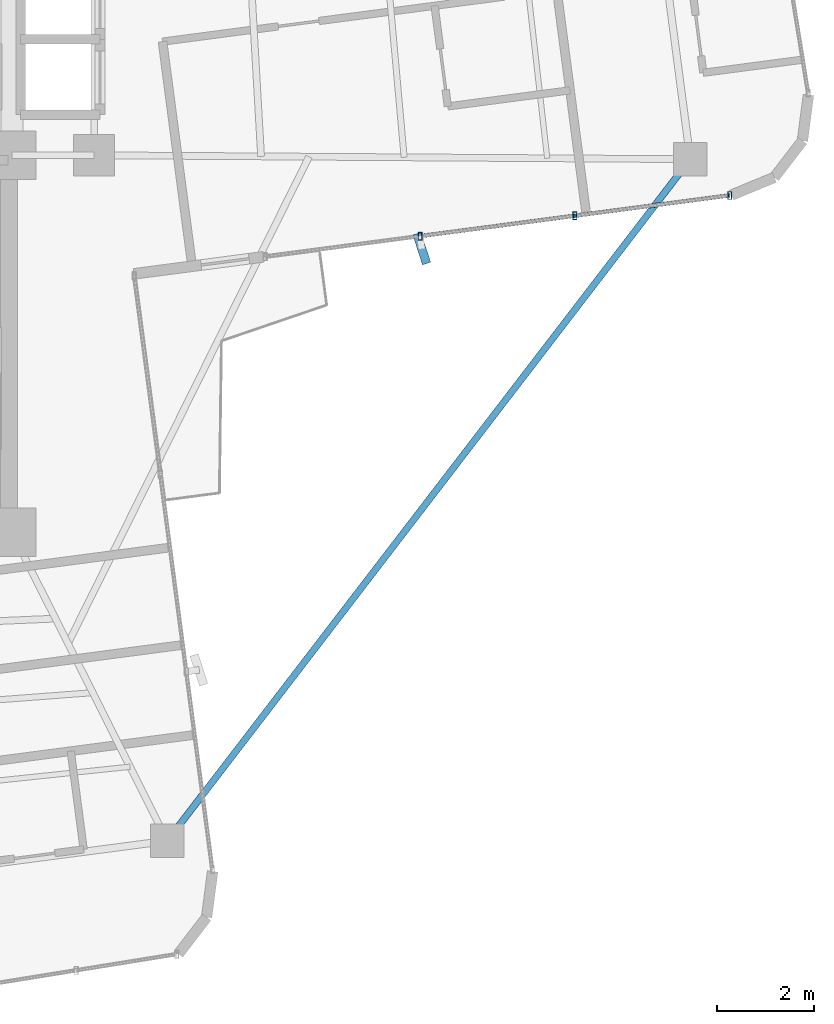
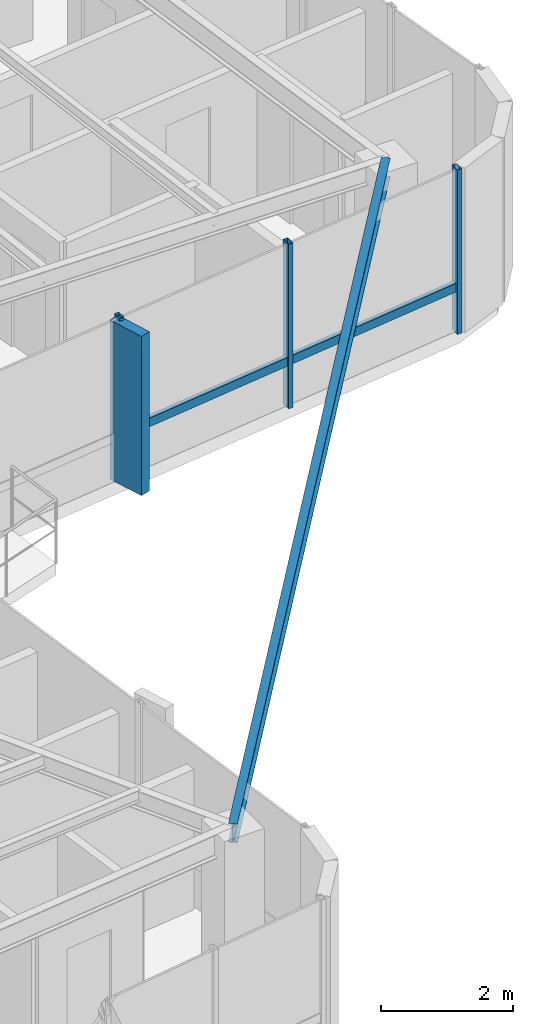
# One storey, part 12 of 23: 6 members, 1 beam, 1 element without a shape of its own.
"""IFC4 building model written with IfcOpenShell, lengths in metres."""

import ifcopenshell
import ifcopenshell.guid

model = None  # the IFC model being written
_history = None  # IfcOwnerHistory: only IFC2X3 demands one
_inside = {}  # id of a spatial element -> (the spatial element, [elements in it])
_under = {}  # id of a project, library or spatial element -> (it, [spatial elements below it])
_declared = {}  # id of a project -> (the project, [libraries it declares])
_typed = {}  # id of a type object -> (the type object, [elements of that type])
_made_of = {}  # id of a material, layer set ... -> (it, [elements and type objects made of it])


def new_model(schema):
    """Start an empty IFC model of exactly this schema.

    Asked for "IFC4X3", IfcOpenShell would pick the latest addendum, in which some entities
    have other attributes; the version numbers below select the first issue.
    IFC2X3 requires an IfcOwnerHistory on every rooted entity: one is made here for all.
    """
    global model, _history
    if schema == "IFC4X3":
        model = ifcopenshell.file(schema_version=(4, 3, 0, 0))
    else:
        model = ifcopenshell.file(schema=schema)
    _inside.clear()
    _under.clear()
    _declared.clear()
    _typed.clear()
    _made_of.clear()
    _history = None
    if model.schema == "IFC2X3":
        org = make("IfcOrganization", Name="unknown")
        user = make(
            "IfcPersonAndOrganization",
            ThePerson=make("IfcPerson", FamilyName="unknown"),
            TheOrganization=org,
        )
        app = make(
            "IfcApplication",
            ApplicationDeveloper=org,
            Version="unknown",
            ApplicationFullName="unknown",
            ApplicationIdentifier="unknown",
        )
        _history = make(
            "IfcOwnerHistory",
            OwningUser=user,
            OwningApplication=app,
            ChangeAction="ADDED",
            CreationDate=0,
        )
    return model


def make(cls, **values):
    """One entity of the class cls with the attributes given. An attribute that is None is left unset."""
    return model.create_entity(
        cls, **{name: value for name, value in values.items() if value is not None}
    )


def rooted(cls, **values):
    """An entity with a GlobalId (a new one), such as an element, a storey or a relation."""
    return make(cls, GlobalId=ifcopenshell.guid.new(), OwnerHistory=_history, **values)


def si_unit(unit_type, name, prefix=None):
    """IfcSIUnit, for example si_unit("LENGTHUNIT", "METRE", prefix="MILLI")."""
    return make("IfcSIUnit", UnitType=unit_type, Prefix=prefix, Name=name)


def assignment(units):
    """IfcUnitAssignment: the units of a project."""
    return None if units is None else make("IfcUnitAssignment", Units=units)


def point(xyz):
    """IfcCartesianPoint."""
    return None if xyz is None else make("IfcCartesianPoint", Coordinates=xyz)


def direction(xyz):
    """IfcDirection."""
    return None if xyz is None else make("IfcDirection", DirectionRatios=xyz)


def frame(location, z_axis=None, x_axis=None):
    """IfcAxis2Placement3D, a coordinate frame: its origin and axes. An axis left out is left unset."""
    return make(
        "IfcAxis2Placement3D",
        Location=point(location),
        Axis=direction(z_axis),
        RefDirection=direction(x_axis),
    )


def frame_2d(location, x_axis=None):
    """IfcAxis2Placement2D, a coordinate frame in the plane: its origin and x axis."""
    return make(
        "IfcAxis2Placement2D", Location=point(location), RefDirection=direction(x_axis)
    )


def origin():
    """The frame at (0, 0, 0) with its axes left unset."""
    return frame((0.0, 0.0, 0.0))


def origin_2d():
    """The frame at (0, 0) in the plane with its x axis left unset."""
    return frame_2d((0.0, 0.0))


def place(relative_to, where):
    """IfcLocalPlacement: puts the frame where relative to a parent placement (None: the world)."""
    return make(
        "IfcLocalPlacement", PlacementRelTo=relative_to, RelativePlacement=where
    )


def context(
    kind, dimensions, precision=None, world=None, true_north=None, identifier=None
):
    """IfcGeometricRepresentationContext, for example the 3D "Model" context."""
    return make(
        "IfcGeometricRepresentationContext",
        ContextIdentifier=identifier,
        ContextType=kind,
        CoordinateSpaceDimension=dimensions,
        Precision=precision,
        WorldCoordinateSystem=world,
        TrueNorth=true_north,
    )


def subcontext(parent, identifier, kind, view, scale=None):
    """IfcGeometricRepresentationSubContext, for example "Body" below "Model"."""
    return make(
        "IfcGeometricRepresentationSubContext",
        ContextIdentifier=identifier,
        ContextType=kind,
        ParentContext=parent,
        TargetScale=scale,
        TargetView=view,
    )


def project(units=None, contexts=None):
    """IfcProject with its units and contexts."""
    return rooted(
        "IfcProject",
        Name="project",
        RepresentationContexts=contexts,
        UnitsInContext=assignment(units),
    )


def spatial(cls, under=None, at=None, **own):
    """A site, building, storey or space (cls), placed at a placement, below another one or the project."""
    s = rooted(cls, ObjectPlacement=at, **own)
    if under is not None:
        _under.setdefault(under.id(), (under, []))[1].append(s)
    return s


def profile(cls, at=None, kind="AREA", **sizes):
    """A parametric profile (cls). Its sizes go by their IFC names, for example OverallWidth=200.0."""
    return make(cls, ProfileType=kind, Position=at, **sizes)


def rectangle(**sizes):
    """IfcRectangleProfileDef."""
    return profile("IfcRectangleProfileDef", **sizes)


def hollow_rectangle(**sizes):
    """IfcRectangleHollowProfileDef."""
    return profile("IfcRectangleHollowProfileDef", **sizes)


def i_section(**sizes):
    """IfcIShapeProfileDef."""
    return profile("IfcIShapeProfileDef", **sizes)


def extrude(swept, where, along, depth):
    """IfcExtrudedAreaSolid: the profile swept, set in the frame where, extruded along a direction by depth."""
    return make(
        "IfcExtrudedAreaSolid",
        SweptArea=swept,
        Position=where,
        ExtrudedDirection=direction(along),
        Depth=depth,
    )


def shape(context_of_items, identifier, shape_type, items):
    """IfcShapeRepresentation: the items that make up one representation, for example the "Body"."""
    return make(
        "IfcShapeRepresentation",
        ContextOfItems=context_of_items,
        RepresentationIdentifier=identifier,
        RepresentationType=shape_type,
        Items=items,
    )


def source(mapping_origin, context_of_items, identifier, shape_type, items):
    """IfcRepresentationMap: a shape defined once, which mapped items show again and again."""
    return make(
        "IfcRepresentationMap",
        MappingOrigin=mapping_origin,
        MappedRepresentation=shape(context_of_items, identifier, shape_type, items),
    )


def transform(
    local_origin,
    x_axis=None,
    y_axis=None,
    z_axis=None,
    scale=None,
    scale2=None,
    scale3=None,
    uniform=True,
):
    """IfcCartesianTransformationOperator3D, or its non-uniform kind. x_axis, y_axis, z_axis: its Axis1, 2, 3."""
    if uniform:
        return make(
            "IfcCartesianTransformationOperator3D",
            Axis1=direction(x_axis),
            Axis2=direction(y_axis),
            LocalOrigin=point(local_origin),
            Scale=scale,
            Axis3=direction(z_axis),
        )
    return make(
        "IfcCartesianTransformationOperator3DnonUniform",
        Axis1=direction(x_axis),
        Axis2=direction(y_axis),
        LocalOrigin=point(local_origin),
        Scale=scale,
        Axis3=direction(z_axis),
        Scale2=scale2,
        Scale3=scale3,
    )


def mapped(mapping_source, mapping_target):
    """IfcMappedItem: shows the shape of a source again, moved by a transform."""
    return make(
        "IfcMappedItem", MappingSource=mapping_source, MappingTarget=mapping_target
    )


def material(Name=None, Category=None):
    """IfcMaterial."""
    return make("IfcMaterial", Name=Name, Category=Category)


def material_profile(
    of_material, cross_section, Name=None, Category=None, Priority=None
):
    """IfcMaterialProfile: a cross section and its material."""
    return make(
        "IfcMaterialProfile",
        Name=Name,
        Material=of_material,
        Profile=cross_section,
        Priority=Priority,
        Category=Category,
    )


def profile_set(profiles, Name=None, composite=None):
    """IfcMaterialProfileSet."""
    return make(
        "IfcMaterialProfileSet",
        Name=Name,
        MaterialProfiles=profiles,
        CompositeProfile=composite,
    )


def made_of(thing, what):
    """Note that an element or type object is made of a material, layer set ...; save() writes the relation."""
    if what is not None:
        _made_of.setdefault(what.id(), (what, []))[1].append(thing)
    return thing


def type_object(cls, material=None, **own):
    """A type object (cls), such as IfcWallType, which elements share."""
    return made_of(rooted(cls, **own), material)


def element(
    cls,
    number,
    at=None,
    inside=None,
    cuts=None,
    type_object=None,
    material=None,
    context=None,
    identifier="Body",
    shape_type=None,
    held_by="IfcProductDefinitionShape",
    body=None,
    shapes=None,
    **own,
):
    """One element of the class cls, such as IfcWall. Its Tag is "e" and its number.

    at: its placement. inside: the storey or other place that contains it. cuts: it is an
    opening in that element (IfcRelVoidsElement). A single representation is given by context,
    identifier, shape_type and body (its items); several are given by shapes. held_by: the class
    of the entity that holds the representations. save() writes the other relations.
    """
    e = rooted(cls, Tag="e%d" % number, ObjectPlacement=at, **own)
    if body is not None:
        shapes = [shape(context, identifier, shape_type, body)]
    if shapes is not None:
        e.Representation = make(held_by, Representations=shapes)
    if inside is not None:
        _inside.setdefault(inside.id(), (inside, []))[1].append(e)
    if cuts is not None:
        rooted(
            "IfcRelVoidsElement", RelatingBuildingElement=cuts, RelatedOpeningElement=e
        )
    if type_object is not None:
        _typed.setdefault(type_object.id(), (type_object, []))[1].append(e)
    return made_of(e, material)


def aggregate(whole, parts):
    """IfcRelAggregates: a whole, such as a stair, and the parts it consists of."""
    return rooted("IfcRelAggregates", RelatingObject=whole, RelatedObjects=parts)


def save(model, path):
    """Write the relations noted so far, then the file.

    IfcRelAggregates (storeys below a building ...), IfcRelContainedInSpatialStructure (elements
    in a storey), IfcRelDefinesByType, IfcRelAssociatesMaterial and IfcRelDeclares: one each for
    every whole, place, type object, material and project.
    """
    for whole, parts in _under.values():
        aggregate(whole, parts)
    for where, things in _inside.values():
        rooted(
            "IfcRelContainedInSpatialStructure",
            RelatedElements=things,
            RelatingStructure=where,
        )
    for kind, things in _typed.values():
        rooted("IfcRelDefinesByType", RelatedObjects=things, RelatingType=kind)
    for what, things in _made_of.values():
        rooted("IfcRelAssociatesMaterial", RelatedObjects=things, RelatingMaterial=what)
    for by, libraries in _declared.values():
        rooted("IfcRelDeclares", RelatingContext=by, RelatedDefinitions=libraries)
    model.write(path)


model = new_model("IFC4")

# Units and contexts
model_context = context("Model", 3, precision=1e-05, world=origin(), true_north=direction((0.0, 1.0)))
body_context = subcontext(model_context, "Body", "Model", "MODEL_VIEW")
ifc_project = project(units=[si_unit("LENGTHUNIT", "METRE"), si_unit("AREAUNIT", "SQUARE_METRE"), si_unit("VOLUMEUNIT", "CUBIC_METRE"), si_unit("PLANEANGLEUNIT", "RADIAN"), si_unit("MASSUNIT", "GRAM", prefix="KILO")], contexts=[model_context])

# Site, building, storey
site_placement = place(None, origin())
site = spatial("IfcSite", under=ifc_project, at=site_placement, CompositionType="ELEMENT")
building_placement = place(site_placement, origin())
building = spatial("IfcBuilding", under=site, at=building_placement, Name="Sahyath Konkavel Grand Hotel", CompositionType="ELEMENT")
storey_placement = place(building_placement, frame((0.0, 0.0, 226.60009765625)))
storey = spatial("IfcBuildingStorey", under=building, at=storey_placement, Name="L63", CompositionType="ELEMENT", Elevation=226.60009765625)

# Beam
ifc_material_1 = material(Name="Steel E350", Category="steel")
ifc_material_profile_1 = material_profile(ifc_material_1, i_section(OverallWidth=0.139892578125, OverallDepth=0.35009765625, WebThickness=0.008056640625, FlangeThickness=0.01416015625, FilletRadius=0.013916015625, at=origin_2d()), Name="ISMB 350")
ifc_profile_set_1 = profile_set([ifc_material_profile_1], Name="Steel E350")
beam_type = type_object("IfcBeamType", Name="BM-ISMB350", PredefinedType="BEAM", material=ifc_profile_set_1)
shared_shape_1 = source(origin(), body_context, "Body", "SweptSolid", [
    extrude(i_section(OverallWidth=0.139892578125, OverallDepth=0.35009765625, WebThickness=0.008056640625, FlangeThickness=0.01416015625, FilletRadius=0.013916015625, at=origin_2d()), origin(), (0.0, 0.0, 1.0), 17.779296875),
])
beam_placement = place(storey_placement, frame((17.83642578125, -2.481201171875, 2.875), z_axis=(-0.608767334395, -0.793348808894, 0.0), x_axis=(0.793348808894, -0.608767334395, 0.0)))
element("IfcBeam", 1, at=beam_placement, inside=storey, type_object=beam_type, Name="L63 Re-Entrant Tie Beam SE", PredefinedType="BEAM", context=body_context, shape_type="MappedRepresentation", body=[
    mapped(shared_shape_1, transform((0.0, 0.0, 0.0), scale=1.0)),
])

# Curtain wall, members
ifc_material_2 = material(Name="Anodised Bronze Aluminium & Low-E Glazing", Category="aluminium")
curtain_wall_type = type_object("IfcCurtainWallType", Name="CW-ZONE4", PredefinedType="NOTDEFINED", material=ifc_material_2)
curtain_wall_placement = place(storey_placement, origin())
curtain_wall = element("IfcCurtainWall", 2, at=curtain_wall_placement, inside=storey, type_object=curtain_wall_type, Name="L63 Unitised Curtain Wall F0", PredefinedType="NOTDEFINED")
ifc_material_3 = material(Name="Anodised Bronze Aluminium", Category="aluminium")
ifc_material_profile_2 = material_profile(ifc_material_3, hollow_rectangle(XDim=0.080078125, YDim=0.159912109375, WallThickness=0.006103515625, at=origin_2d()), Name="RHS 160x80x6")
ifc_profile_set_2 = profile_set([ifc_material_profile_2], Name="Anodised Bronze Aluminium")
member_type_1 = type_object("IfcMemberType", Name="CW-MUL-160", PredefinedType="MULLION", material=ifc_profile_set_2)
shared_shape_2 = source(origin(), body_context, "Body", "SweptSolid", [
    extrude(hollow_rectangle(XDim=0.080078125, YDim=0.159912109375, WallThickness=0.006103515625, at=origin_2d()), origin(), (0.0, 0.0, 1.0), 3.0498046875),
])
member_1_placement = place(storey_placement, frame((12.245361328125, -4.07470703125, 0.0), z_axis=(0.0, 0.0, 1.0), x_axis=(1.0, 0.0, 0.0)))
member_1 = element("IfcMember", 3, at=member_1_placement, type_object=member_type_1, Name="L63 Curtain Wall Mullion F0-1", PredefinedType="MULLION", context=body_context, shape_type="MappedRepresentation", body=[
    mapped(shared_shape_2, transform((0.0, 0.0, 0.0), scale=1.0)),
])
member_2_placement = place(storey_placement, frame((15.4482421875, -3.65283203125, 0.0), z_axis=(0.0, 0.0, 1.0), x_axis=(1.0, 0.0, 0.0)))
member_2 = element("IfcMember", 4, at=member_2_placement, type_object=member_type_1, Name="L63 Curtain Wall Mullion F0-2", PredefinedType="MULLION", context=body_context, shape_type="MappedRepresentation", body=[
    mapped(shared_shape_2, transform((0.0, 0.0, 0.0), scale=1.0)),
])
member_3_placement = place(storey_placement, frame((18.6513671875, -3.231201171875, 0.0), z_axis=(0.0, 0.0, 1.0), x_axis=(1.0, 0.0, 0.0)))
member_3 = element("IfcMember", 5, at=member_3_placement, type_object=member_type_1, Name="L63 Curtain Wall Mullion F0-3", PredefinedType="MULLION", context=body_context, shape_type="MappedRepresentation", body=[
    mapped(shared_shape_2, transform((0.0, 0.0, 0.0), scale=1.0)),
])
ifc_material_4 = material(Name="Warm Buff Sandstone Cladding on Concrete C50/60", Category="masonry")
ifc_material_profile_3 = material_profile(ifc_material_4, rectangle(XDim=0.179931640625, YDim=0.64990234375, at=origin_2d()), Name="FIN 180x650")
ifc_profile_set_3 = profile_set([ifc_material_profile_3], Name="Warm Buff Sandstone Cladding on Concrete C50/60")
member_type_2 = type_object("IfcMemberType", Name="FIN-SANDSTONE-650", PredefinedType="MULLION", material=ifc_profile_set_3)
shared_shape_3 = source(origin(), body_context, "Body", "SweptSolid", [
    extrude(rectangle(XDim=0.179931640625, YDim=0.64990234375, at=origin_2d()), origin(), (0.0, 0.0, 1.0), 2.9501953125),
])
member_4_placement = place(storey_placement, frame((12.279296875, -4.33251953125, 0.0498046875), z_axis=(0.0, 0.0, 1.0), x_axis=(0.951808747363, 0.306692204733, 0.0)))
member_4 = element("IfcMember", 6, at=member_4_placement, type_object=member_type_2, Name="L63 Sandstone Vertical Solar Fin FIN F0-1", PredefinedType="MULLION", context=body_context, shape_type="MappedRepresentation", body=[
    mapped(shared_shape_3, transform((0.0, 0.0, 0.0), scale=1.0)),
])
ifc_material_profile_4 = material_profile(ifc_material_3, hollow_rectangle(XDim=0.080078125, YDim=0.159912109375, WallThickness=0.006103515625, at=origin_2d()), Name="RHS 160x80x6")
ifc_profile_set_4 = profile_set([ifc_material_profile_4], Name="Anodised Bronze Aluminium")
member_type_3 = type_object("IfcMemberType", Name="CW-TRN-160", PredefinedType="USERDEFINED", material=ifc_profile_set_4)
shared_shape_4 = source(origin(), body_context, "Body", "SweptSolid", [
    extrude(hollow_rectangle(XDim=0.080078125, YDim=0.159912109375, WallThickness=0.006103515625, at=origin_2d()), origin(), (0.0, 0.0, 1.0), 3.230712890625),
])
member_5_placement = place(storey_placement, frame((15.4482421875, -3.65283203125, 0.849853515625), z_axis=(0.991447606837, 0.130505336662, 0.0), x_axis=(-0.130505336662, 0.991447606837, 0.0)))
member_5 = element("IfcMember", 7, at=member_5_placement, type_object=member_type_3, Name="L63 Curtain Wall Transom F0-2-spandrel", ObjectType="TRANSOM", PredefinedType="USERDEFINED", context=body_context, shape_type="MappedRepresentation", body=[
    mapped(shared_shape_4, transform((0.0, 0.0, 0.0), scale=1.0)),
])
shared_shape_5 = source(origin(), body_context, "Body", "SweptSolid", [
    extrude(hollow_rectangle(XDim=0.080078125, YDim=0.159912109375, WallThickness=0.006103515625, at=origin_2d()), origin(), (0.0, 0.0, 1.0), 3.23046875),
])
member_6_placement = place(storey_placement, frame((12.245361328125, -4.07470703125, 0.849853515625), z_axis=(0.991436537874, 0.130589399912, 0.0), x_axis=(-0.130589399912, 0.991436537874, 0.0)))
member_6 = element("IfcMember", 8, at=member_6_placement, type_object=member_type_3, Name="L63 Curtain Wall Transom F0-1-spandrel", ObjectType="TRANSOM", PredefinedType="USERDEFINED", context=body_context, shape_type="MappedRepresentation", body=[
    mapped(shared_shape_5, transform((0.0, 0.0, 0.0), scale=1.0)),
])
aggregate(curtain_wall, [member_1, member_4, member_2, member_3, member_6, member_5])

save(model, "model.ifc")
